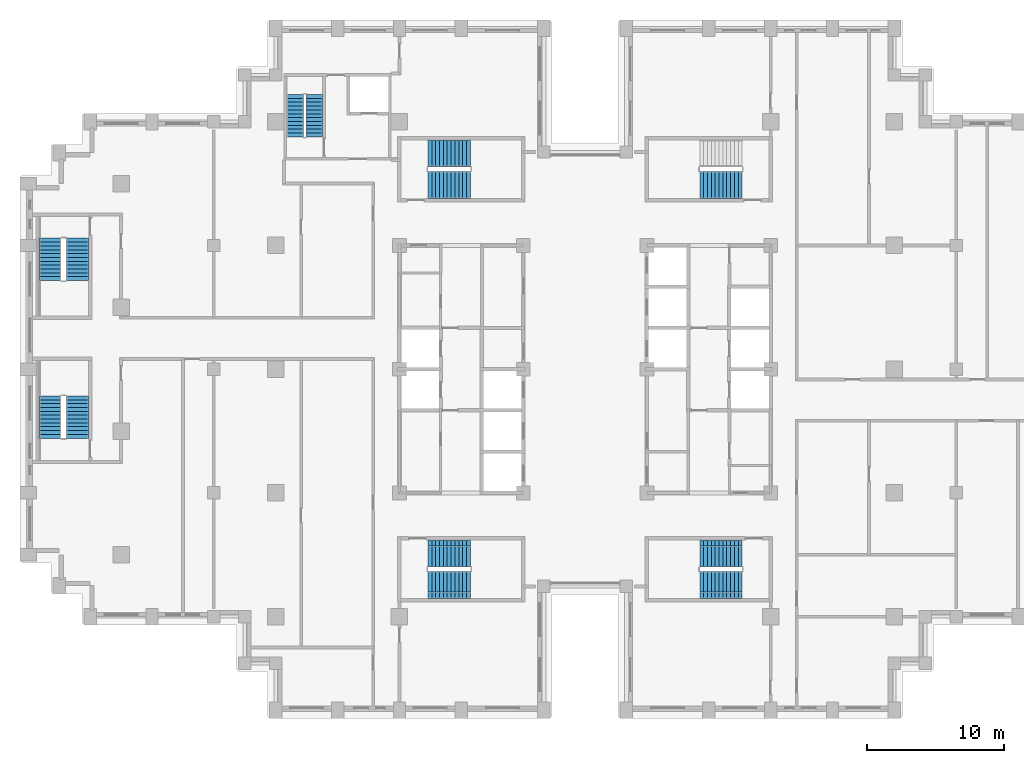
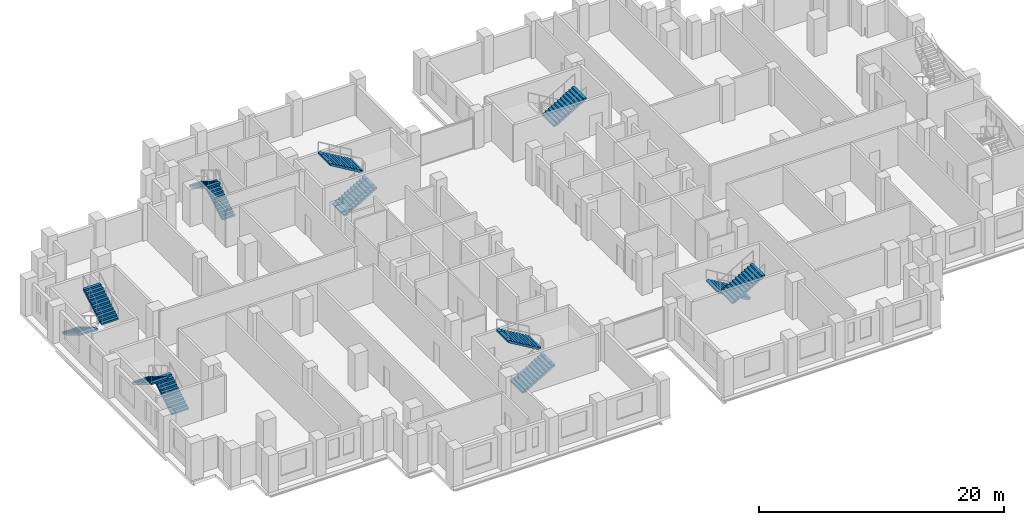
# One storey, part 13 of 16: 13 stair flights, 7 elements without a shape of their own.
"""IFC4 building model written with IfcOpenShell, lengths in metres."""

from ifc_helpers import new_model, si_unit, direction, frame, origin, place, context, subcontext, project, spatial, polyline, outline, extrude, material, type_object, element, aggregate, save


model = new_model("IFC4")

# Units and contexts
model_context = context("Model", 3, precision=1e-05, world=origin(), true_north=direction((0.0, 1.0)))
body_context = subcontext(model_context, "Body", "Model", "MODEL_VIEW")
ifc_project = project(units=[si_unit("LENGTHUNIT", "METRE"), si_unit("AREAUNIT", "SQUARE_METRE"), si_unit("VOLUMEUNIT", "CUBIC_METRE"), si_unit("PLANEANGLEUNIT", "RADIAN"), si_unit("MASSUNIT", "GRAM", prefix="KILO")], contexts=[model_context])

# Site, building, storey
site_placement = place(None, origin())
site = spatial("IfcSite", under=ifc_project, at=site_placement, CompositionType="ELEMENT")
building_placement = place(site_placement, origin())
building = spatial("IfcBuilding", under=site, at=building_placement, Name="Corbelhall Arena Tower", CompositionType="ELEMENT")
storey_placement = place(building_placement, frame((0.0, 0.0, 104.0)))
storey = spatial("IfcBuildingStorey", under=building, at=storey_placement, Name="L18", CompositionType="ELEMENT", Elevation=104.0)

# Stair, stair flights
ifc_material = material(Name="Concrete C40/50", Category="concrete")
stair_type = type_object("IfcStairType", Name="IN-ST-TOWER", PredefinedType="HALF_TURN_STAIR", material=ifc_material)
stair_1_placement = place(storey_placement, origin())
stair_1 = element("IfcStair", 1, at=stair_1_placement, inside=storey, type_object=stair_type, Name="L18 Exit stair ST1", PredefinedType="HALF_TURN_STAIR")
stair_flight_type = type_object("IfcStairFlightType", Name="IN-SFL-RC", PredefinedType="STRAIGHT", material=ifc_material)
stair_flight_1_placement = place(storey_placement, frame((-11.425048828125, 13.39990234375, 0.0), z_axis=(0.0, 0.0, 1.0), x_axis=(1.0, 0.0, 0.0)))
stair_flight_1 = element("IfcStairFlight", 2, at=stair_flight_1_placement, type_object=stair_flight_type, Name="ST1 flight 1", NumberOfRisers=12, NumberOfTreads=11, PredefinedType="STRAIGHT", RiserHeight=0.166666667, TreadLength=0.28, context=body_context, shape_type="SweptSolid", body=[
    extrude(outline(polyline([(0.0, 0.0), (0.0, 0.166748046875), (0.280029296875, 0.166748046875), (0.280029296875, 0.333251953125), (0.56005859375, 0.333251953125), (0.56005859375, 0.5), (0.840087890625, 0.5), (0.840087890625, 0.666748046875), (1.1201171875, 0.666748046875), (1.1201171875, 0.833251953125), (1.39990234375, 0.833251953125), (1.39990234375, 1.0), (1.679931640625, 1.0), (1.679931640625, 1.166748046875), (1.9599609375, 1.166748046875), (1.9599609375, 1.333251953125), (2.239990234375, 1.333251953125), (2.239990234375, 1.5), (2.52001953125, 1.5), (2.52001953125, 1.666748046875), (2.800048828125, 1.666748046875), (2.800048828125, 1.833251953125), (3.080078125, 1.833251953125), (3.080078125, 2.0), (3.080078125, 1.658935546875), (0.29296875, 0.0), (0.0, 0.0)])), frame((0.0, 0.97509765625, 0.0), z_axis=(0.0, -1.0, 0.0), x_axis=(1.0, 0.0, 0.0)), (0.0, 0.0, 1.0), 0.449951171875),
    extrude(outline(polyline([(0.0, 0.0), (0.0, 0.166748046875), (0.280029296875, 0.166748046875), (0.280029296875, 0.333251953125), (0.56005859375, 0.333251953125), (0.56005859375, 0.5), (0.840087890625, 0.5), (0.840087890625, 0.666748046875), (1.1201171875, 0.666748046875), (1.1201171875, 0.833251953125), (1.39990234375, 0.833251953125), (1.39990234375, 1.0), (1.679931640625, 1.0), (1.679931640625, 1.166748046875), (1.9599609375, 1.166748046875), (1.9599609375, 1.333251953125), (2.239990234375, 1.333251953125), (2.239990234375, 1.5), (2.52001953125, 1.5), (2.52001953125, 1.666748046875), (2.800048828125, 1.666748046875), (2.800048828125, 1.833251953125), (3.080078125, 1.833251953125), (3.080078125, 2.0), (3.080078125, 1.658935546875), (0.29296875, 0.0), (0.0, 0.0)])), frame((0.0, 0.52099609375, 0.0), z_axis=(0.0, -1.0, 0.0), x_axis=(1.0, 0.0, 0.0)), (0.0, 0.0, 1.0), 1.0419921875),
    extrude(outline(polyline([(0.0, 0.0), (0.0, 0.166748046875), (0.280029296875, 0.166748046875), (0.280029296875, 0.333251953125), (0.56005859375, 0.333251953125), (0.56005859375, 0.5), (0.840087890625, 0.5), (0.840087890625, 0.666748046875), (1.1201171875, 0.666748046875), (1.1201171875, 0.833251953125), (1.39990234375, 0.833251953125), (1.39990234375, 1.0), (1.679931640625, 1.0), (1.679931640625, 1.166748046875), (1.9599609375, 1.166748046875), (1.9599609375, 1.333251953125), (2.239990234375, 1.333251953125), (2.239990234375, 1.5), (2.52001953125, 1.5), (2.52001953125, 1.666748046875), (2.800048828125, 1.666748046875), (2.800048828125, 1.833251953125), (3.080078125, 1.833251953125), (3.080078125, 2.0), (3.080078125, 1.658935546875), (0.29296875, 0.0), (0.0, 0.0)])), frame((0.0, -0.52490234375, 0.0), z_axis=(0.0, -1.0, 0.0), x_axis=(1.0, 0.0, 0.0)), (0.0, 0.0, 1.0), 0.449951171875),
])
stair_flight_2_placement = place(storey_placement, frame((-8.344970703125, 15.699951171875, 2.0), z_axis=(0.0, 0.0, 1.0), x_axis=(-1.0, 0.0, 0.0)))
stair_flight_2 = element("IfcStairFlight", 3, at=stair_flight_2_placement, type_object=stair_flight_type, Name="ST1 flight 2", NumberOfRisers=12, NumberOfTreads=11, PredefinedType="STRAIGHT", RiserHeight=0.166666667, TreadLength=0.28, context=body_context, shape_type="SweptSolid", body=[
    extrude(outline(polyline([(0.0, 0.0), (0.0, 0.166748046875), (0.280029296875, 0.166748046875), (0.280029296875, 0.333251953125), (0.56005859375, 0.333251953125), (0.56005859375, 0.5), (0.840087890625, 0.5), (0.840087890625, 0.666748046875), (1.1201171875, 0.666748046875), (1.1201171875, 0.833251953125), (1.39990234375, 0.833251953125), (1.39990234375, 1.0), (1.679931640625, 1.0), (1.679931640625, 1.166748046875), (1.9599609375, 1.166748046875), (1.9599609375, 1.333251953125), (2.239990234375, 1.333251953125), (2.239990234375, 1.5), (2.52001953125, 1.5), (2.52001953125, 1.666748046875), (2.800048828125, 1.666748046875), (2.800048828125, 1.833251953125), (3.080078125, 1.833251953125), (3.080078125, 2.0), (3.080078125, 1.658935546875), (0.29296875, 0.0), (0.0, 0.0)])), frame((0.0, 0.97509765625, 0.0), z_axis=(0.0, -1.0, 0.0), x_axis=(1.0, 0.0, 0.0)), (0.0, 0.0, 1.0), 0.449951171875),
    extrude(outline(polyline([(0.0, 0.0), (0.0, 0.166748046875), (0.280029296875, 0.166748046875), (0.280029296875, 0.333251953125), (0.56005859375, 0.333251953125), (0.56005859375, 0.5), (0.840087890625, 0.5), (0.840087890625, 0.666748046875), (1.1201171875, 0.666748046875), (1.1201171875, 0.833251953125), (1.39990234375, 0.833251953125), (1.39990234375, 1.0), (1.679931640625, 1.0), (1.679931640625, 1.166748046875), (1.9599609375, 1.166748046875), (1.9599609375, 1.333251953125), (2.239990234375, 1.333251953125), (2.239990234375, 1.5), (2.52001953125, 1.5), (2.52001953125, 1.666748046875), (2.800048828125, 1.666748046875), (2.800048828125, 1.833251953125), (3.080078125, 1.833251953125), (3.080078125, 2.0), (3.080078125, 1.658935546875), (0.29296875, 0.0), (0.0, 0.0)])), frame((0.0, 0.52099609375, 0.0), z_axis=(0.0, -1.0, 0.0), x_axis=(1.0, 0.0, 0.0)), (0.0, 0.0, 1.0), 1.0419921875),
    extrude(outline(polyline([(0.0, 0.0), (0.0, 0.166748046875), (0.280029296875, 0.166748046875), (0.280029296875, 0.333251953125), (0.56005859375, 0.333251953125), (0.56005859375, 0.5), (0.840087890625, 0.5), (0.840087890625, 0.666748046875), (1.1201171875, 0.666748046875), (1.1201171875, 0.833251953125), (1.39990234375, 0.833251953125), (1.39990234375, 1.0), (1.679931640625, 1.0), (1.679931640625, 1.166748046875), (1.9599609375, 1.166748046875), (1.9599609375, 1.333251953125), (2.239990234375, 1.333251953125), (2.239990234375, 1.5), (2.52001953125, 1.5), (2.52001953125, 1.666748046875), (2.800048828125, 1.666748046875), (2.800048828125, 1.833251953125), (3.080078125, 1.833251953125), (3.080078125, 2.0), (3.080078125, 1.658935546875), (0.29296875, 0.0), (0.0, 0.0)])), frame((0.0, -0.52490234375, 0.0), z_axis=(0.0, -1.0, 0.0), x_axis=(1.0, 0.0, 0.0)), (0.0, 0.0, 1.0), 0.449951171875),
])
aggregate(stair_1, [stair_flight_1, stair_flight_2])

stair_2_placement = place(storey_placement, origin())
stair_2 = element("IfcStair", 4, at=stair_2_placement, inside=storey, type_object=stair_type, Name="L18 Exit stair ST2", PredefinedType="HALF_TURN_STAIR")
stair_flight_3_placement = place(storey_placement, frame((-11.425048828125, -15.699951171875, 0.0), z_axis=(0.0, 0.0, 1.0), x_axis=(1.0, 0.0, 0.0)))
stair_flight_3 = element("IfcStairFlight", 5, at=stair_flight_3_placement, type_object=stair_flight_type, Name="ST2 flight 1", NumberOfRisers=12, NumberOfTreads=11, PredefinedType="STRAIGHT", RiserHeight=0.166666667, TreadLength=0.28, context=body_context, shape_type="SweptSolid", body=[
    extrude(outline(polyline([(0.0, 0.0), (0.0, 0.166748046875), (0.280029296875, 0.166748046875), (0.280029296875, 0.333251953125), (0.56005859375, 0.333251953125), (0.56005859375, 0.5), (0.840087890625, 0.5), (0.840087890625, 0.666748046875), (1.1201171875, 0.666748046875), (1.1201171875, 0.833251953125), (1.39990234375, 0.833251953125), (1.39990234375, 1.0), (1.679931640625, 1.0), (1.679931640625, 1.166748046875), (1.9599609375, 1.166748046875), (1.9599609375, 1.333251953125), (2.239990234375, 1.333251953125), (2.239990234375, 1.5), (2.52001953125, 1.5), (2.52001953125, 1.666748046875), (2.800048828125, 1.666748046875), (2.800048828125, 1.833251953125), (3.080078125, 1.833251953125), (3.080078125, 2.0), (3.080078125, 1.658935546875), (0.29296875, 0.0), (0.0, 0.0)])), frame((0.0, 0.97509765625, 0.0), z_axis=(0.0, -1.0, 0.0), x_axis=(1.0, 0.0, 0.0)), (0.0, 0.0, 1.0), 0.449951171875),
    extrude(outline(polyline([(0.0, 0.0), (0.0, 0.166748046875), (0.280029296875, 0.166748046875), (0.280029296875, 0.333251953125), (0.56005859375, 0.333251953125), (0.56005859375, 0.5), (0.840087890625, 0.5), (0.840087890625, 0.666748046875), (1.1201171875, 0.666748046875), (1.1201171875, 0.833251953125), (1.39990234375, 0.833251953125), (1.39990234375, 1.0), (1.679931640625, 1.0), (1.679931640625, 1.166748046875), (1.9599609375, 1.166748046875), (1.9599609375, 1.333251953125), (2.239990234375, 1.333251953125), (2.239990234375, 1.5), (2.52001953125, 1.5), (2.52001953125, 1.666748046875), (2.800048828125, 1.666748046875), (2.800048828125, 1.833251953125), (3.080078125, 1.833251953125), (3.080078125, 2.0), (3.080078125, 1.658935546875), (0.29296875, 0.0), (0.0, 0.0)])), frame((0.0, 0.52099609375, 0.0), z_axis=(0.0, -1.0, 0.0), x_axis=(1.0, 0.0, 0.0)), (0.0, 0.0, 1.0), 1.0419921875),
    extrude(outline(polyline([(0.0, 0.0), (0.0, 0.166748046875), (0.280029296875, 0.166748046875), (0.280029296875, 0.333251953125), (0.56005859375, 0.333251953125), (0.56005859375, 0.5), (0.840087890625, 0.5), (0.840087890625, 0.666748046875), (1.1201171875, 0.666748046875), (1.1201171875, 0.833251953125), (1.39990234375, 0.833251953125), (1.39990234375, 1.0), (1.679931640625, 1.0), (1.679931640625, 1.166748046875), (1.9599609375, 1.166748046875), (1.9599609375, 1.333251953125), (2.239990234375, 1.333251953125), (2.239990234375, 1.5), (2.52001953125, 1.5), (2.52001953125, 1.666748046875), (2.800048828125, 1.666748046875), (2.800048828125, 1.833251953125), (3.080078125, 1.833251953125), (3.080078125, 2.0), (3.080078125, 1.658935546875), (0.29296875, 0.0), (0.0, 0.0)])), frame((0.0, -0.52490234375, 0.0), z_axis=(0.0, -1.0, 0.0), x_axis=(1.0, 0.0, 0.0)), (0.0, 0.0, 1.0), 0.449951171875),
])
stair_flight_4_placement = place(storey_placement, frame((-8.344970703125, -13.39990234375, 2.0), z_axis=(0.0, 0.0, 1.0), x_axis=(-1.0, 0.0, 0.0)))
stair_flight_4 = element("IfcStairFlight", 6, at=stair_flight_4_placement, type_object=stair_flight_type, Name="ST2 flight 2", NumberOfRisers=12, NumberOfTreads=11, PredefinedType="STRAIGHT", RiserHeight=0.166666667, TreadLength=0.28, context=body_context, shape_type="SweptSolid", body=[
    extrude(outline(polyline([(0.0, 0.0), (0.0, 0.166748046875), (0.280029296875, 0.166748046875), (0.280029296875, 0.333251953125), (0.56005859375, 0.333251953125), (0.56005859375, 0.5), (0.840087890625, 0.5), (0.840087890625, 0.666748046875), (1.1201171875, 0.666748046875), (1.1201171875, 0.833251953125), (1.39990234375, 0.833251953125), (1.39990234375, 1.0), (1.679931640625, 1.0), (1.679931640625, 1.166748046875), (1.9599609375, 1.166748046875), (1.9599609375, 1.333251953125), (2.239990234375, 1.333251953125), (2.239990234375, 1.5), (2.52001953125, 1.5), (2.52001953125, 1.666748046875), (2.800048828125, 1.666748046875), (2.800048828125, 1.833251953125), (3.080078125, 1.833251953125), (3.080078125, 2.0), (3.080078125, 1.658935546875), (0.29296875, 0.0), (0.0, 0.0)])), frame((0.0, 0.97509765625, 0.0), z_axis=(0.0, -1.0, 0.0), x_axis=(1.0, 0.0, 0.0)), (0.0, 0.0, 1.0), 0.449951171875),
    extrude(outline(polyline([(0.0, 0.0), (0.0, 0.166748046875), (0.280029296875, 0.166748046875), (0.280029296875, 0.333251953125), (0.56005859375, 0.333251953125), (0.56005859375, 0.5), (0.840087890625, 0.5), (0.840087890625, 0.666748046875), (1.1201171875, 0.666748046875), (1.1201171875, 0.833251953125), (1.39990234375, 0.833251953125), (1.39990234375, 1.0), (1.679931640625, 1.0), (1.679931640625, 1.166748046875), (1.9599609375, 1.166748046875), (1.9599609375, 1.333251953125), (2.239990234375, 1.333251953125), (2.239990234375, 1.5), (2.52001953125, 1.5), (2.52001953125, 1.666748046875), (2.800048828125, 1.666748046875), (2.800048828125, 1.833251953125), (3.080078125, 1.833251953125), (3.080078125, 2.0), (3.080078125, 1.658935546875), (0.29296875, 0.0), (0.0, 0.0)])), frame((0.0, 0.52099609375, 0.0), z_axis=(0.0, -1.0, 0.0), x_axis=(1.0, 0.0, 0.0)), (0.0, 0.0, 1.0), 1.0419921875),
    extrude(outline(polyline([(0.0, 0.0), (0.0, 0.166748046875), (0.280029296875, 0.166748046875), (0.280029296875, 0.333251953125), (0.56005859375, 0.333251953125), (0.56005859375, 0.5), (0.840087890625, 0.5), (0.840087890625, 0.666748046875), (1.1201171875, 0.666748046875), (1.1201171875, 0.833251953125), (1.39990234375, 0.833251953125), (1.39990234375, 1.0), (1.679931640625, 1.0), (1.679931640625, 1.166748046875), (1.9599609375, 1.166748046875), (1.9599609375, 1.333251953125), (2.239990234375, 1.333251953125), (2.239990234375, 1.5), (2.52001953125, 1.5), (2.52001953125, 1.666748046875), (2.800048828125, 1.666748046875), (2.800048828125, 1.833251953125), (3.080078125, 1.833251953125), (3.080078125, 2.0), (3.080078125, 1.658935546875), (0.29296875, 0.0), (0.0, 0.0)])), frame((0.0, -0.52490234375, 0.0), z_axis=(0.0, -1.0, 0.0), x_axis=(1.0, 0.0, 0.0)), (0.0, 0.0, 1.0), 0.449951171875),
])
aggregate(stair_2, [stair_flight_3, stair_flight_4])

# Stair, stair flight
stair_3_placement = place(storey_placement, origin())
stair_3 = element("IfcStair", 7, at=stair_3_placement, inside=storey, type_object=stair_type, Name="L18 Exit stair ST3", PredefinedType="HALF_TURN_STAIR")
stair_flight_5_placement = place(storey_placement, frame((8.344970703125, 13.39990234375, 2.0), z_axis=(0.0, 0.0, 1.0), x_axis=(1.0, 0.0, 0.0)))
stair_flight_5 = element("IfcStairFlight", 8, at=stair_flight_5_placement, type_object=stair_flight_type, Name="ST3 flight 2", NumberOfRisers=12, NumberOfTreads=11, PredefinedType="STRAIGHT", RiserHeight=0.166666667, TreadLength=0.28, context=body_context, shape_type="SweptSolid", body=[
    extrude(outline(polyline([(0.0, 0.0), (0.0, 0.166748046875), (0.280029296875, 0.166748046875), (0.280029296875, 0.333251953125), (0.56005859375, 0.333251953125), (0.56005859375, 0.5), (0.840087890625, 0.5), (0.840087890625, 0.666748046875), (1.1201171875, 0.666748046875), (1.1201171875, 0.833251953125), (1.39990234375, 0.833251953125), (1.39990234375, 1.0), (1.679931640625, 1.0), (1.679931640625, 1.166748046875), (1.9599609375, 1.166748046875), (1.9599609375, 1.333251953125), (2.239990234375, 1.333251953125), (2.239990234375, 1.5), (2.52001953125, 1.5), (2.52001953125, 1.666748046875), (2.800048828125, 1.666748046875), (2.800048828125, 1.833251953125), (3.080078125, 1.833251953125), (3.080078125, 2.0), (3.080078125, 1.658935546875), (0.29296875, 0.0), (0.0, 0.0)])), frame((0.0, 0.97509765625, 0.0), z_axis=(0.0, -1.0, 0.0), x_axis=(1.0, 0.0, 0.0)), (0.0, 0.0, 1.0), 0.449951171875),
    extrude(outline(polyline([(0.0, 0.0), (0.0, 0.166748046875), (0.280029296875, 0.166748046875), (0.280029296875, 0.333251953125), (0.56005859375, 0.333251953125), (0.56005859375, 0.5), (0.840087890625, 0.5), (0.840087890625, 0.666748046875), (1.1201171875, 0.666748046875), (1.1201171875, 0.833251953125), (1.39990234375, 0.833251953125), (1.39990234375, 1.0), (1.679931640625, 1.0), (1.679931640625, 1.166748046875), (1.9599609375, 1.166748046875), (1.9599609375, 1.333251953125), (2.239990234375, 1.333251953125), (2.239990234375, 1.5), (2.52001953125, 1.5), (2.52001953125, 1.666748046875), (2.800048828125, 1.666748046875), (2.800048828125, 1.833251953125), (3.080078125, 1.833251953125), (3.080078125, 2.0), (3.080078125, 1.658935546875), (0.29296875, 0.0), (0.0, 0.0)])), frame((0.0, 0.52099609375, 0.0), z_axis=(0.0, -1.0, 0.0), x_axis=(1.0, 0.0, 0.0)), (0.0, 0.0, 1.0), 1.0419921875),
    extrude(outline(polyline([(0.0, 0.0), (0.0, 0.166748046875), (0.280029296875, 0.166748046875), (0.280029296875, 0.333251953125), (0.56005859375, 0.333251953125), (0.56005859375, 0.5), (0.840087890625, 0.5), (0.840087890625, 0.666748046875), (1.1201171875, 0.666748046875), (1.1201171875, 0.833251953125), (1.39990234375, 0.833251953125), (1.39990234375, 1.0), (1.679931640625, 1.0), (1.679931640625, 1.166748046875), (1.9599609375, 1.166748046875), (1.9599609375, 1.333251953125), (2.239990234375, 1.333251953125), (2.239990234375, 1.5), (2.52001953125, 1.5), (2.52001953125, 1.666748046875), (2.800048828125, 1.666748046875), (2.800048828125, 1.833251953125), (3.080078125, 1.833251953125), (3.080078125, 2.0), (3.080078125, 1.658935546875), (0.29296875, 0.0), (0.0, 0.0)])), frame((0.0, -0.52490234375, 0.0), z_axis=(0.0, -1.0, 0.0), x_axis=(1.0, 0.0, 0.0)), (0.0, 0.0, 1.0), 0.449951171875),
])
aggregate(stair_3, [stair_flight_5])

# Stair, stair flights
stair_4_placement = place(storey_placement, origin())
stair_4 = element("IfcStair", 9, at=stair_4_placement, inside=storey, type_object=stair_type, Name="L18 Exit stair ST4", PredefinedType="HALF_TURN_STAIR")
stair_flight_6_placement = place(storey_placement, frame((11.425048828125, -13.39990234375, 0.0), z_axis=(0.0, 0.0, 1.0), x_axis=(-1.0, 0.0, 0.0)))
stair_flight_6 = element("IfcStairFlight", 10, at=stair_flight_6_placement, type_object=stair_flight_type, Name="ST4 flight 1", NumberOfRisers=12, NumberOfTreads=11, PredefinedType="STRAIGHT", RiserHeight=0.166666667, TreadLength=0.28, context=body_context, shape_type="SweptSolid", body=[
    extrude(outline(polyline([(0.0, 0.0), (0.0, 0.166748046875), (0.280029296875, 0.166748046875), (0.280029296875, 0.333251953125), (0.56005859375, 0.333251953125), (0.56005859375, 0.5), (0.840087890625, 0.5), (0.840087890625, 0.666748046875), (1.1201171875, 0.666748046875), (1.1201171875, 0.833251953125), (1.39990234375, 0.833251953125), (1.39990234375, 1.0), (1.679931640625, 1.0), (1.679931640625, 1.166748046875), (1.9599609375, 1.166748046875), (1.9599609375, 1.333251953125), (2.239990234375, 1.333251953125), (2.239990234375, 1.5), (2.52001953125, 1.5), (2.52001953125, 1.666748046875), (2.800048828125, 1.666748046875), (2.800048828125, 1.833251953125), (3.080078125, 1.833251953125), (3.080078125, 2.0), (3.080078125, 1.658935546875), (0.29296875, 0.0), (0.0, 0.0)])), frame((0.0, 0.97509765625, 0.0), z_axis=(0.0, -1.0, 0.0), x_axis=(1.0, 0.0, 0.0)), (0.0, 0.0, 1.0), 0.449951171875),
    extrude(outline(polyline([(0.0, 0.0), (0.0, 0.166748046875), (0.280029296875, 0.166748046875), (0.280029296875, 0.333251953125), (0.56005859375, 0.333251953125), (0.56005859375, 0.5), (0.840087890625, 0.5), (0.840087890625, 0.666748046875), (1.1201171875, 0.666748046875), (1.1201171875, 0.833251953125), (1.39990234375, 0.833251953125), (1.39990234375, 1.0), (1.679931640625, 1.0), (1.679931640625, 1.166748046875), (1.9599609375, 1.166748046875), (1.9599609375, 1.333251953125), (2.239990234375, 1.333251953125), (2.239990234375, 1.5), (2.52001953125, 1.5), (2.52001953125, 1.666748046875), (2.800048828125, 1.666748046875), (2.800048828125, 1.833251953125), (3.080078125, 1.833251953125), (3.080078125, 2.0), (3.080078125, 1.658935546875), (0.29296875, 0.0), (0.0, 0.0)])), frame((0.0, 0.52099609375, 0.0), z_axis=(0.0, -1.0, 0.0), x_axis=(1.0, 0.0, 0.0)), (0.0, 0.0, 1.0), 1.0419921875),
    extrude(outline(polyline([(0.0, 0.0), (0.0, 0.166748046875), (0.280029296875, 0.166748046875), (0.280029296875, 0.333251953125), (0.56005859375, 0.333251953125), (0.56005859375, 0.5), (0.840087890625, 0.5), (0.840087890625, 0.666748046875), (1.1201171875, 0.666748046875), (1.1201171875, 0.833251953125), (1.39990234375, 0.833251953125), (1.39990234375, 1.0), (1.679931640625, 1.0), (1.679931640625, 1.166748046875), (1.9599609375, 1.166748046875), (1.9599609375, 1.333251953125), (2.239990234375, 1.333251953125), (2.239990234375, 1.5), (2.52001953125, 1.5), (2.52001953125, 1.666748046875), (2.800048828125, 1.666748046875), (2.800048828125, 1.833251953125), (3.080078125, 1.833251953125), (3.080078125, 2.0), (3.080078125, 1.658935546875), (0.29296875, 0.0), (0.0, 0.0)])), frame((0.0, -0.52490234375, 0.0), z_axis=(0.0, -1.0, 0.0), x_axis=(1.0, 0.0, 0.0)), (0.0, 0.0, 1.0), 0.449951171875),
])
stair_flight_7_placement = place(storey_placement, frame((8.344970703125, -15.699951171875, 2.0), z_axis=(0.0, 0.0, 1.0), x_axis=(1.0, 0.0, 0.0)))
stair_flight_7 = element("IfcStairFlight", 11, at=stair_flight_7_placement, type_object=stair_flight_type, Name="ST4 flight 2", NumberOfRisers=12, NumberOfTreads=11, PredefinedType="STRAIGHT", RiserHeight=0.166666667, TreadLength=0.28, context=body_context, shape_type="SweptSolid", body=[
    extrude(outline(polyline([(0.0, 0.0), (0.0, 0.166748046875), (0.280029296875, 0.166748046875), (0.280029296875, 0.333251953125), (0.56005859375, 0.333251953125), (0.56005859375, 0.5), (0.840087890625, 0.5), (0.840087890625, 0.666748046875), (1.1201171875, 0.666748046875), (1.1201171875, 0.833251953125), (1.39990234375, 0.833251953125), (1.39990234375, 1.0), (1.679931640625, 1.0), (1.679931640625, 1.166748046875), (1.9599609375, 1.166748046875), (1.9599609375, 1.333251953125), (2.239990234375, 1.333251953125), (2.239990234375, 1.5), (2.52001953125, 1.5), (2.52001953125, 1.666748046875), (2.800048828125, 1.666748046875), (2.800048828125, 1.833251953125), (3.080078125, 1.833251953125), (3.080078125, 2.0), (3.080078125, 1.658935546875), (0.29296875, 0.0), (0.0, 0.0)])), frame((0.0, 0.97509765625, 0.0), z_axis=(0.0, -1.0, 0.0), x_axis=(1.0, 0.0, 0.0)), (0.0, 0.0, 1.0), 0.449951171875),
    extrude(outline(polyline([(0.0, 0.0), (0.0, 0.166748046875), (0.280029296875, 0.166748046875), (0.280029296875, 0.333251953125), (0.56005859375, 0.333251953125), (0.56005859375, 0.5), (0.840087890625, 0.5), (0.840087890625, 0.666748046875), (1.1201171875, 0.666748046875), (1.1201171875, 0.833251953125), (1.39990234375, 0.833251953125), (1.39990234375, 1.0), (1.679931640625, 1.0), (1.679931640625, 1.166748046875), (1.9599609375, 1.166748046875), (1.9599609375, 1.333251953125), (2.239990234375, 1.333251953125), (2.239990234375, 1.5), (2.52001953125, 1.5), (2.52001953125, 1.666748046875), (2.800048828125, 1.666748046875), (2.800048828125, 1.833251953125), (3.080078125, 1.833251953125), (3.080078125, 2.0), (3.080078125, 1.658935546875), (0.29296875, 0.0), (0.0, 0.0)])), frame((0.0, 0.52099609375, 0.0), z_axis=(0.0, -1.0, 0.0), x_axis=(1.0, 0.0, 0.0)), (0.0, 0.0, 1.0), 1.0419921875),
    extrude(outline(polyline([(0.0, 0.0), (0.0, 0.166748046875), (0.280029296875, 0.166748046875), (0.280029296875, 0.333251953125), (0.56005859375, 0.333251953125), (0.56005859375, 0.5), (0.840087890625, 0.5), (0.840087890625, 0.666748046875), (1.1201171875, 0.666748046875), (1.1201171875, 0.833251953125), (1.39990234375, 0.833251953125), (1.39990234375, 1.0), (1.679931640625, 1.0), (1.679931640625, 1.166748046875), (1.9599609375, 1.166748046875), (1.9599609375, 1.333251953125), (2.239990234375, 1.333251953125), (2.239990234375, 1.5), (2.52001953125, 1.5), (2.52001953125, 1.666748046875), (2.800048828125, 1.666748046875), (2.800048828125, 1.833251953125), (3.080078125, 1.833251953125), (3.080078125, 2.0), (3.080078125, 1.658935546875), (0.29296875, 0.0), (0.0, 0.0)])), frame((0.0, -0.52490234375, 0.0), z_axis=(0.0, -1.0, 0.0), x_axis=(1.0, 0.0, 0.0)), (0.0, 0.0, 1.0), 0.449951171875),
])
aggregate(stair_4, [stair_flight_6, stair_flight_7])

stair_5_placement = place(storey_placement, origin())
stair_5 = element("IfcStair", 12, at=stair_5_placement, inside=storey, type_object=stair_type, Name="L18 Exit stair SC1", PredefinedType="HALF_TURN_STAIR")
stair_flight_8_placement = place(storey_placement, frame((-38.89990234375, 9.52490234375, 0.0), z_axis=(0.0, 0.0, 1.0), x_axis=(0.0, -1.0, 0.0)))
stair_flight_8 = element("IfcStairFlight", 13, at=stair_flight_8_placement, type_object=stair_flight_type, Name="SC1 flight 1", NumberOfRisers=12, NumberOfTreads=11, PredefinedType="STRAIGHT", RiserHeight=0.166666667, TreadLength=0.28, context=body_context, shape_type="SweptSolid", body=[
    extrude(outline(polyline([(0.0, 0.0), (0.0, 0.166748046875), (0.280029296875, 0.166748046875), (0.280029296875, 0.333251953125), (0.56005859375, 0.333251953125), (0.56005859375, 0.5), (0.840087890625, 0.5), (0.840087890625, 0.666748046875), (1.1201171875, 0.666748046875), (1.1201171875, 0.833251953125), (1.39990234375, 0.833251953125), (1.39990234375, 1.0), (1.679931640625, 1.0), (1.679931640625, 1.166748046875), (1.9599609375, 1.166748046875), (1.9599609375, 1.333251953125), (2.239990234375, 1.333251953125), (2.239990234375, 1.5), (2.52001953125, 1.5), (2.52001953125, 1.666748046875), (2.800048828125, 1.666748046875), (2.800048828125, 1.833251953125), (3.080078125, 1.833251953125), (3.080078125, 2.0), (3.080078125, 1.658935546875), (0.29296875, 0.0), (0.0, 0.0)])), frame((0.0, 0.800048828125, 0.0), z_axis=(0.0, -1.0, 0.0), x_axis=(1.0, 0.0, 0.0)), (0.0, 0.0, 1.0), 1.60009765625),
])
stair_flight_9_placement = place(storey_placement, frame((-36.925048828125, 6.445068359375, 2.0), z_axis=(0.0, 0.0, 1.0), x_axis=(0.0, 1.0, 0.0)))
stair_flight_9 = element("IfcStairFlight", 14, at=stair_flight_9_placement, type_object=stair_flight_type, Name="SC1 flight 2", NumberOfRisers=12, NumberOfTreads=11, PredefinedType="STRAIGHT", RiserHeight=0.166666667, TreadLength=0.28, context=body_context, shape_type="SweptSolid", body=[
    extrude(outline(polyline([(0.0, 0.0), (0.0, 0.166748046875), (0.280029296875, 0.166748046875), (0.280029296875, 0.333251953125), (0.56005859375, 0.333251953125), (0.56005859375, 0.5), (0.840087890625, 0.5), (0.840087890625, 0.666748046875), (1.1201171875, 0.666748046875), (1.1201171875, 0.833251953125), (1.39990234375, 0.833251953125), (1.39990234375, 1.0), (1.679931640625, 1.0), (1.679931640625, 1.166748046875), (1.9599609375, 1.166748046875), (1.9599609375, 1.333251953125), (2.239990234375, 1.333251953125), (2.239990234375, 1.5), (2.52001953125, 1.5), (2.52001953125, 1.666748046875), (2.800048828125, 1.666748046875), (2.800048828125, 1.833251953125), (3.080078125, 1.833251953125), (3.080078125, 2.0), (3.080078125, 1.658935546875), (0.29296875, 0.0), (0.0, 0.0)])), frame((0.0, 0.800048828125, 0.0), z_axis=(0.0, -1.0, 0.0), x_axis=(1.0, 0.0, 0.0)), (0.0, 0.0, 1.0), 1.60009765625),
])
aggregate(stair_5, [stair_flight_8, stair_flight_9])

stair_6_placement = place(storey_placement, origin())
stair_6 = element("IfcStair", 15, at=stair_6_placement, inside=storey, type_object=stair_type, Name="L18 Exit stair SC2", PredefinedType="HALF_TURN_STAIR")
stair_flight_10_placement = place(storey_placement, frame((-36.925048828125, -5.02490234375, 0.0), z_axis=(0.0, 0.0, 1.0), x_axis=(0.0, 1.0, 0.0)))
stair_flight_10 = element("IfcStairFlight", 16, at=stair_flight_10_placement, type_object=stair_flight_type, Name="SC2 flight 1", NumberOfRisers=12, NumberOfTreads=11, PredefinedType="STRAIGHT", RiserHeight=0.166666667, TreadLength=0.28, context=body_context, shape_type="SweptSolid", body=[
    extrude(outline(polyline([(0.0, 0.0), (0.0, 0.166748046875), (0.280029296875, 0.166748046875), (0.280029296875, 0.333251953125), (0.56005859375, 0.333251953125), (0.56005859375, 0.5), (0.840087890625, 0.5), (0.840087890625, 0.666748046875), (1.1201171875, 0.666748046875), (1.1201171875, 0.833251953125), (1.39990234375, 0.833251953125), (1.39990234375, 1.0), (1.679931640625, 1.0), (1.679931640625, 1.166748046875), (1.9599609375, 1.166748046875), (1.9599609375, 1.333251953125), (2.239990234375, 1.333251953125), (2.239990234375, 1.5), (2.52001953125, 1.5), (2.52001953125, 1.666748046875), (2.800048828125, 1.666748046875), (2.800048828125, 1.833251953125), (3.080078125, 1.833251953125), (3.080078125, 2.0), (3.080078125, 1.658935546875), (0.29296875, 0.0), (0.0, 0.0)])), frame((0.0, 0.800048828125, 0.0), z_axis=(0.0, -1.0, 0.0), x_axis=(1.0, 0.0, 0.0)), (0.0, 0.0, 1.0), 1.60009765625),
])
stair_flight_11_placement = place(storey_placement, frame((-38.89990234375, -1.945068359375, 2.0), z_axis=(0.0, 0.0, 1.0), x_axis=(0.0, -1.0, 0.0)))
stair_flight_11 = element("IfcStairFlight", 17, at=stair_flight_11_placement, type_object=stair_flight_type, Name="SC2 flight 2", NumberOfRisers=12, NumberOfTreads=11, PredefinedType="STRAIGHT", RiserHeight=0.166666667, TreadLength=0.28, context=body_context, shape_type="SweptSolid", body=[
    extrude(outline(polyline([(0.0, 0.0), (0.0, 0.166748046875), (0.280029296875, 0.166748046875), (0.280029296875, 0.333251953125), (0.56005859375, 0.333251953125), (0.56005859375, 0.5), (0.840087890625, 0.5), (0.840087890625, 0.666748046875), (1.1201171875, 0.666748046875), (1.1201171875, 0.833251953125), (1.39990234375, 0.833251953125), (1.39990234375, 1.0), (1.679931640625, 1.0), (1.679931640625, 1.166748046875), (1.9599609375, 1.166748046875), (1.9599609375, 1.333251953125), (2.239990234375, 1.333251953125), (2.239990234375, 1.5), (2.52001953125, 1.5), (2.52001953125, 1.666748046875), (2.800048828125, 1.666748046875), (2.800048828125, 1.833251953125), (3.080078125, 1.833251953125), (3.080078125, 2.0), (3.080078125, 1.658935546875), (0.29296875, 0.0), (0.0, 0.0)])), frame((0.0, 0.800048828125, 0.0), z_axis=(0.0, -1.0, 0.0), x_axis=(1.0, 0.0, 0.0)), (0.0, 0.0, 1.0), 1.60009765625),
])
aggregate(stair_6, [stair_flight_10, stair_flight_11])

stair_7_placement = place(storey_placement, origin())
stair_7 = element("IfcStair", 18, at=stair_7_placement, inside=storey, type_object=stair_type, Name="L18 Exit stair ST5", PredefinedType="HALF_TURN_STAIR")
stair_flight_12_placement = place(storey_placement, frame((-19.695068359375, 16.89990234375, 0.0), z_axis=(0.0, 0.0, 1.0), x_axis=(0.0, 1.0, 0.0)))
stair_flight_12 = element("IfcStairFlight", 19, at=stair_flight_12_placement, type_object=stair_flight_type, Name="ST5 flight 1", NumberOfRisers=12, NumberOfTreads=11, PredefinedType="STRAIGHT", RiserHeight=0.166666667, TreadLength=0.28, context=body_context, shape_type="SweptSolid", body=[
    extrude(outline(polyline([(0.0, 0.0), (0.0, 0.166748046875), (0.280029296875, 0.166748046875), (0.280029296875, 0.333251953125), (0.56005859375, 0.333251953125), (0.56005859375, 0.5), (0.840087890625, 0.5), (0.840087890625, 0.666748046875), (1.1201171875, 0.666748046875), (1.1201171875, 0.833251953125), (1.39990234375, 0.833251953125), (1.39990234375, 1.0), (1.679931640625, 1.0), (1.679931640625, 1.166748046875), (1.9599609375, 1.166748046875), (1.9599609375, 1.333251953125), (2.239990234375, 1.333251953125), (2.239990234375, 1.5), (2.52001953125, 1.5), (2.52001953125, 1.666748046875), (2.800048828125, 1.666748046875), (2.800048828125, 1.833251953125), (3.080078125, 1.833251953125), (3.080078125, 2.0), (3.080078125, 1.658935546875), (0.29296875, 0.0), (0.0, 0.0)])), frame((0.0, 0.60009765625, 0.0), z_axis=(0.0, -1.0, 0.0), x_axis=(1.0, 0.0, 0.0)), (0.0, 0.0, 1.0), 1.199951171875),
])
stair_flight_13_placement = place(storey_placement, frame((-21.094970703125, 19.97998046875, 2.0), z_axis=(0.0, 0.0, 1.0), x_axis=(0.0, -1.0, 0.0)))
stair_flight_13 = element("IfcStairFlight", 20, at=stair_flight_13_placement, type_object=stair_flight_type, Name="ST5 flight 2", NumberOfRisers=12, NumberOfTreads=11, PredefinedType="STRAIGHT", RiserHeight=0.166666667, TreadLength=0.28, context=body_context, shape_type="SweptSolid", body=[
    extrude(outline(polyline([(0.0, 0.0), (0.0, 0.166748046875), (0.280029296875, 0.166748046875), (0.280029296875, 0.333251953125), (0.56005859375, 0.333251953125), (0.56005859375, 0.5), (0.840087890625, 0.5), (0.840087890625, 0.666748046875), (1.1201171875, 0.666748046875), (1.1201171875, 0.833251953125), (1.39990234375, 0.833251953125), (1.39990234375, 1.0), (1.679931640625, 1.0), (1.679931640625, 1.166748046875), (1.9599609375, 1.166748046875), (1.9599609375, 1.333251953125), (2.239990234375, 1.333251953125), (2.239990234375, 1.5), (2.52001953125, 1.5), (2.52001953125, 1.666748046875), (2.800048828125, 1.666748046875), (2.800048828125, 1.833251953125), (3.080078125, 1.833251953125), (3.080078125, 2.0), (3.080078125, 1.658935546875), (0.29296875, 0.0), (0.0, 0.0)])), frame((0.0, 0.60009765625, 0.0), z_axis=(0.0, -1.0, 0.0), x_axis=(1.0, 0.0, 0.0)), (0.0, 0.0, 1.0), 1.199951171875),
])
aggregate(stair_7, [stair_flight_12, stair_flight_13])

save(model, "model.ifc")
